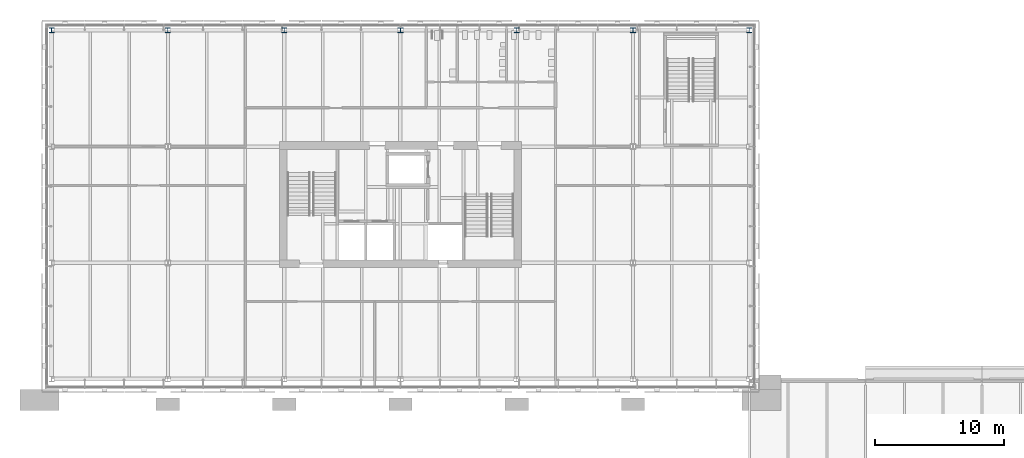
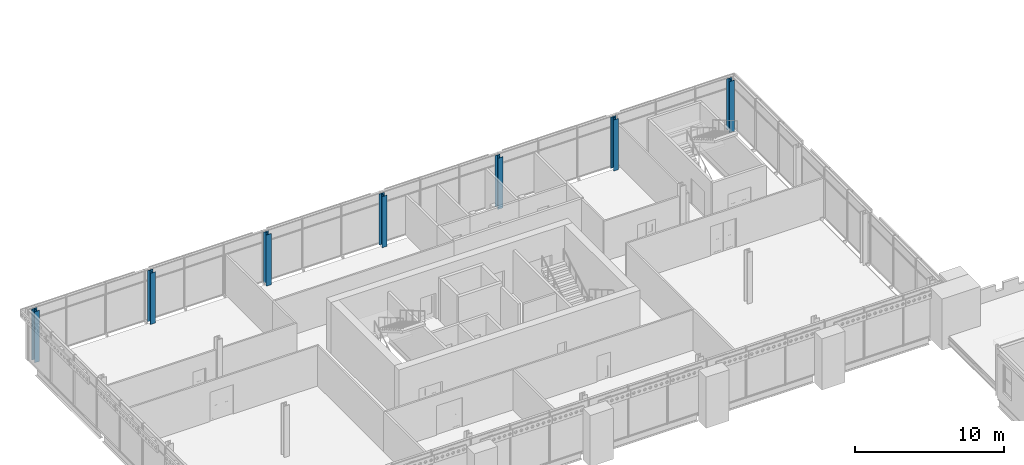
# One storey, part 21 of 123: 7 columns.
"""IFC4 building model written with IfcOpenShell, lengths in metres."""

from ifc_helpers import new_model, si_unit, direction, frame, origin, origin_2d, place, context, subcontext, project, spatial, i_section, extrude, material, material_profile, profile_set, type_object, element, save


model = new_model("IFC4")

# Units and contexts
model_context = context("Model", 3, precision=1e-05, world=origin(), true_north=direction((0.0, 1.0)))
body_context = subcontext(model_context, "Body", "Model", "MODEL_VIEW")
ifc_project = project(units=[si_unit("LENGTHUNIT", "METRE"), si_unit("AREAUNIT", "SQUARE_METRE"), si_unit("VOLUMEUNIT", "CUBIC_METRE"), si_unit("PLANEANGLEUNIT", "RADIAN"), si_unit("MASSUNIT", "GRAM", prefix="KILO")], contexts=[model_context])

# Site, building, storey
site_placement = place(None, origin())
site = spatial("IfcSite", under=ifc_project, at=site_placement, CompositionType="ELEMENT")
building_placement = place(site_placement, origin())
building = spatial("IfcBuilding", under=site, at=building_placement, Name="Baradari Gate Terminus", CompositionType="ELEMENT")
storey_placement = place(building_placement, frame((0.0, 0.0, 7.5)))
storey = spatial("IfcBuildingStorey", under=building, at=storey_placement, Name="L01", CompositionType="ELEMENT", Elevation=7.5)

# Columns
ifc_material = material(Name="Steel S355", Category="steel")
ifc_material_profile = material_profile(ifc_material, i_section(OverallWidth=0.39892578125, OverallDepth=0.3935546875, WebThickness=0.015869140625, FlangeThickness=0.02490234375, FilletRadius=0.01513671875, at=origin_2d()), Name="UC 356x406x287")
ifc_profile_set = profile_set([ifc_material_profile], Name="Steel S355")
column_type = type_object("IfcColumnType", Name="Operations block perimeter column C01 UC 356x406x287", PredefinedType="COLUMN", material=ifc_profile_set)
for number, where, z_axis, x_axis, name in (
    (1, (9.0, 144.0, 0.0), (0.0, 0.0, 1.0), (1.0, 0.0, 0.0), "C01 column 2-S L01"),
    (2, (18.0, 144.0, 0.0), (0.0, 0.0, 1.0), (1.0, 0.0, 0.0), "C01 column 3-S L01"),
    (3, (27.0, 144.0, 0.0), (0.0, 0.0, 1.0), (1.0, 0.0, 0.0), "C01 column 4-S L01"),
    (4, (36.0, 144.0, 0.0), (0.0, 0.0, 1.0), (1.0, 0.0, 0.0), "C01 column 5-S L01"),
    (5, (45.0, 144.0, 0.0), (0.0, 0.0, 1.0), (1.0, 0.0, 0.0), "C01 column 6-S L01"),
    (6, (54.0, 144.0, 0.0), (0.0, 0.0, 1.0), (1.0, 0.0, 0.0), "C01 column 7-S L01"),
    (7, (63.0, 144.0, 0.0), (0.0, 0.0, 1.0), (1.0, 0.0, 0.0), "C01 column 8-S L01"),
):
    element("IfcColumn", number, at=place(storey_placement, frame(where, z_axis=z_axis, x_axis=x_axis)), inside=storey, type_object=column_type, Name=name, PredefinedType="COLUMN", context=body_context, shape_type="SweptSolid", body=[
        extrude(i_section(OverallWidth=0.39892578125, OverallDepth=0.3935546875, WebThickness=0.015869140625, FlangeThickness=0.02490234375, FilletRadius=0.01513671875, at=origin_2d()), origin(), (0.0, 0.0, 1.0), 4.199951171875),
    ])

save(model, "model.ifc")
